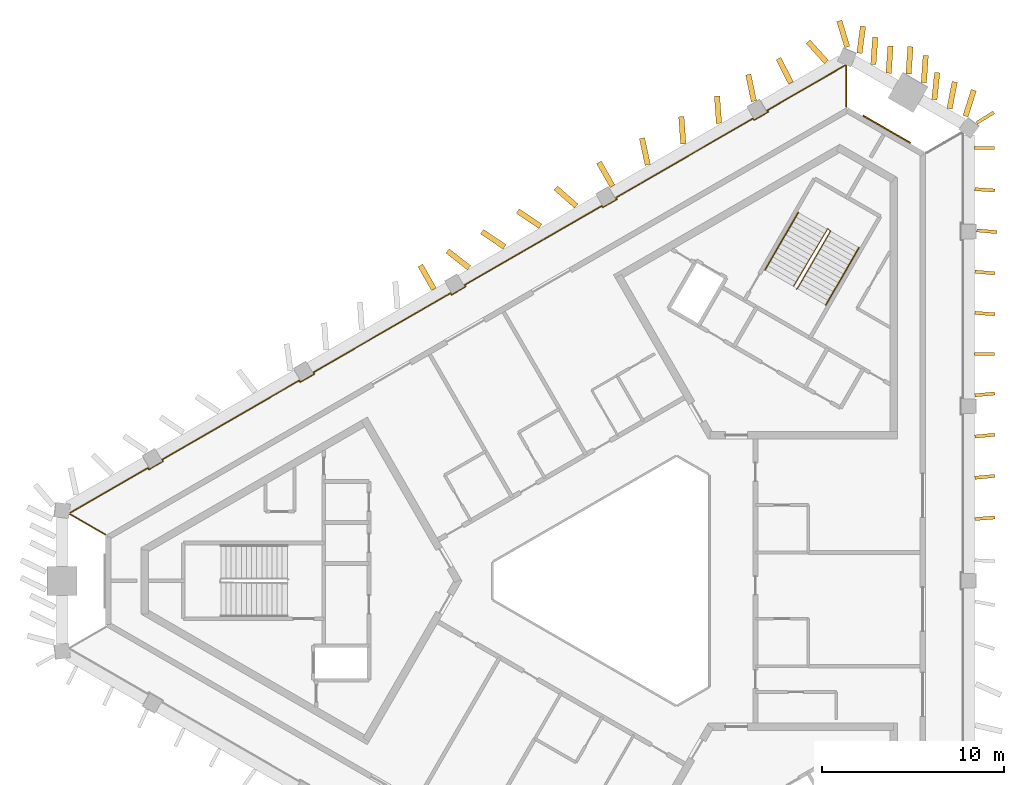
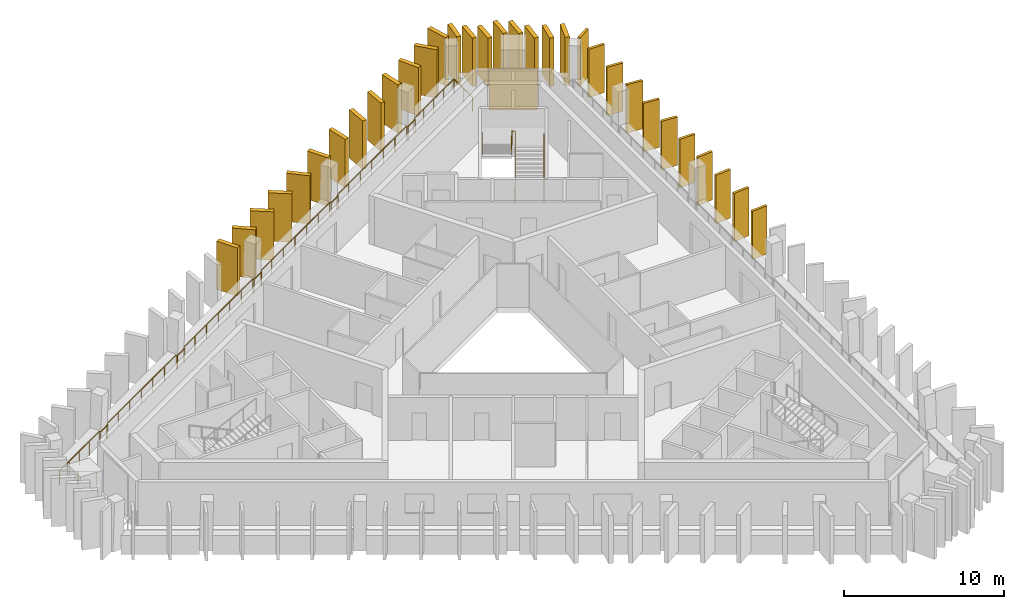
# One storey, part 9 of 9: 32 shading devices, 4 railings, 1 covering.
"""IFC4 building model written with IfcOpenShell, lengths in metres."""

from ifc_helpers import new_model, si_unit, direction, frame, frame_2d, origin, origin_2d, place, context, subcontext, project, spatial, rectangle, circle, extrude, material, layer, layer_set, type_object, element, save


model = new_model("IFC4")

# Units and contexts
model_context = context("Model", 3, precision=1e-05, world=origin(), true_north=direction((0.0, 1.0)))
body_context = subcontext(model_context, "Body", "Model", "MODEL_VIEW")
ifc_project = project(units=[si_unit("LENGTHUNIT", "METRE"), si_unit("AREAUNIT", "SQUARE_METRE"), si_unit("VOLUMEUNIT", "CUBIC_METRE"), si_unit("PLANEANGLEUNIT", "RADIAN"), si_unit("MASSUNIT", "GRAM", prefix="KILO")], contexts=[model_context])

# Site, building, storey
site_placement = place(None, origin())
site = spatial("IfcSite", under=ifc_project, at=site_placement, CompositionType="ELEMENT")
building_placement = place(site_placement, origin())
building = spatial("IfcBuilding", under=site, at=building_placement, Name="Jabali Bay Hotel Tower and Convention Centre", CompositionType="ELEMENT")
storey_placement = place(building_placement, frame((0.0, 0.0, 288.60009765625)))
storey = spatial("IfcBuildingStorey", under=building, at=storey_placement, Name="L71", CompositionType="ELEMENT", Elevation=288.60009765625)

# Railing
ifc_material_1 = material(Name="Glass", Category="glass")
railing_type_1 = type_object("IfcRailingType", Name="Loggia glass guard 1100", PredefinedType="BALUSTRADE", material=ifc_material_1)
railing_1_placement = place(storey_placement, frame((46.438720703125, 82.53857421875, 0.0)))
element("IfcRailing", 1, at=railing_1_placement, inside=storey, type_object=railing_type_1, Name="Loggia glass guard L71", PredefinedType="BALUSTRADE", context=body_context, shape_type="SweptSolid", body=[
    extrude(circle(Radius=0.02490234375, at=origin_2d()), frame((0.0, 0.0, 1.0751953125), z_axis=(-0.865989003036, 0.500063042646, 0.0), x_axis=(-0.495784933994, -0.858580347067, 0.13052619222)), (0.0, 0.0, 1.0), 2.275146484375),
    extrude(circle(Radius=0.02490234375, at=origin_2d()), frame((-1.97021484375, 1.1376953125, 1.0751953125), z_axis=(0.124843395554, 0.9921764594, 0.0), x_axis=(-0.983688252248, 0.123775342998, 0.13052619222)), (0.0, 0.0, 1.0), 0.037109375),
    extrude(circle(Radius=0.02490234375, at=origin_2d()), frame((-1.965576171875, 1.174560546875, 1.0751953125), z_axis=(0.866016938613, 0.500014661821, 0.0), x_axis=(-0.495736967074, 0.85860804365, 0.13052619222)), (0.0, 0.0, 1.0), 4.966064453125),
    extrude(circle(Radius=0.02490234375, at=origin_2d()), frame((2.335205078125, 3.65771484375, 1.0751953125), z_axis=(0.500074377092, -0.865982457891, 0.0), x_axis=(0.858573857916, 0.495796171473, 0.13052619222)), (0.0, 0.0, 1.0), 0.10009765625),
    extrude(circle(Radius=0.02490234375, at=origin_2d()), frame((2.38525390625, 3.571044921875, 1.0751953125), z_axis=(0.866013897511, 0.50001992892, 0.0), x_axis=(-0.495742189112, 0.858605028566, 0.13052619222)), (0.0, 0.0, 1.0), 0.89990234375),
    extrude(circle(Radius=0.02490234375, at=origin_2d()), frame((3.16455078125, 4.02099609375, 1.0751953125), z_axis=(-0.4982416694, 0.867038199201, 0.0), x_axis=(-0.859620567213, -0.493979142849, 0.13052619222)), (0.0, 0.0, 1.0), 0.099853515625),
    extrude(circle(Radius=0.02490234375, at=origin_2d()), frame((3.11474609375, 4.107666015625, 1.0751953125), z_axis=(0.86602121798, 0.500007249956, 0.0), x_axis=(-0.495729618619, 0.858612286407, 0.13052619222)), (0.0, 0.0, 1.0), 8.681884765625),
    extrude(circle(Radius=0.02490234375, at=origin_2d()), frame((10.633544921875, 8.44873046875, 1.0751953125), z_axis=(0.500074377092, -0.865982457891, 0.0), x_axis=(0.858573857916, 0.495796171473, 0.13052619222)), (0.0, 0.0, 1.0), 0.10009765625),
    extrude(circle(Radius=0.02490234375, at=origin_2d()), frame((10.68359375, 8.362060546875, 1.0751953125), z_axis=(0.865964261186, 0.500105887137, 0.0), x_axis=(-0.495827411944, 0.858555816886, 0.13052619222)), (0.0, 0.0, 1.0), 0.900146484375),
    extrude(circle(Radius=0.02490234375, at=origin_2d()), frame((11.463134765625, 8.812255859375, 1.0751953125), z_axis=(-0.501132629342, 0.865370491644, 0.0), x_axis=(-0.857967127125, -0.496845370228, 0.13052619222)), (0.0, 0.0, 1.0), 0.099853515625),
    extrude(circle(Radius=0.02490234375, at=origin_2d()), frame((11.4130859375, 8.898681640625, 1.0751953125), z_axis=(0.86602121798, 0.500007249956, 0.0), x_axis=(-0.495729618619, 0.858612286407, 0.13052619222)), (0.0, 0.0, 1.0), 8.681884765625),
    extrude(circle(Radius=0.02490234375, at=origin_2d()), frame((18.931884765625, 13.23974609375, 1.0751953125), z_axis=(0.501132629342, -0.865370491644, 0.0), x_axis=(0.857967127125, 0.496845370228, 0.13052619222)), (0.0, 0.0, 1.0), 0.099853515625),
    extrude(circle(Radius=0.02490234375, at=origin_2d()), frame((18.98193359375, 13.1533203125, 1.0751953125), z_axis=(0.866081705922, 0.499902469156, 0.0), x_axis=(-0.495625734232, 0.858672256866, 0.13052619222)), (0.0, 0.0, 1.0), 0.900146484375),
    extrude(circle(Radius=0.02490234375, at=origin_2d()), frame((19.761474609375, 13.603271484375, 1.0751953125), z_axis=(-0.500074377092, 0.865982457891, 0.0), x_axis=(-0.858573857916, -0.495796171473, 0.13052619222)), (0.0, 0.0, 1.0), 0.10009765625),
    extrude(circle(Radius=0.02490234375, at=origin_2d()), frame((19.71142578125, 13.68994140625, 1.0751953125), z_axis=(0.866028248005, 0.499995073634, 0.0), x_axis=(-0.495717546466, 0.858619256289, 0.13052619222)), (0.0, 0.0, 1.0), 8.68212890625),
    extrude(circle(Radius=0.02490234375, at=origin_2d()), frame((27.23046875, 18.031005859375, 1.0751953125), z_axis=(0.4982416694, -0.867038199201, 0.0), x_axis=(0.859620567213, 0.493979142849, 0.13052619222)), (0.0, 0.0, 1.0), 0.099853515625),
    extrude(circle(Radius=0.02490234375, at=origin_2d()), frame((27.2802734375, 17.9443359375, 1.0751953125), z_axis=(0.866081705922, 0.499902469156, 0.0), x_axis=(-0.495625734232, 0.858672256866, 0.13052619222)), (0.0, 0.0, 1.0), 0.900146484375),
    extrude(circle(Radius=0.02490234375, at=origin_2d()), frame((28.059814453125, 18.394287109375, 1.0751953125), z_axis=(-0.500074377092, 0.865982457891, 0.0), x_axis=(-0.858573857916, -0.495796171473, 0.13052619222)), (0.0, 0.0, 1.0), 0.10009765625),
    extrude(circle(Radius=0.02490234375, at=origin_2d()), frame((28.009765625, 18.48095703125, 1.0751953125), z_axis=(0.866028248005, 0.499995073634, 0.0), x_axis=(-0.495717546466, 0.858619256289, 0.13052619222)), (0.0, 0.0, 1.0), 8.68212890625),
    extrude(circle(Radius=0.02490234375, at=origin_2d()), frame((35.52880859375, 22.822021484375, 1.0751953125), z_axis=(0.500074377092, -0.865982457891, 0.0), x_axis=(0.858573857916, 0.495796171473, 0.13052619222)), (0.0, 0.0, 1.0), 0.10009765625),
    extrude(circle(Radius=0.02490234375, at=origin_2d()), frame((35.578857421875, 22.7353515625, 1.0751953125), z_axis=(0.866013897511, 0.50001992892, 0.0), x_axis=(-0.495742189112, 0.858605028566, 0.13052619222)), (0.0, 0.0, 1.0), 0.89990234375),
    extrude(circle(Radius=0.02490234375, at=origin_2d()), frame((36.358154296875, 23.185302734375, 1.0751953125), z_axis=(-0.500074377092, 0.865982457891, 0.0), x_axis=(-0.858573857916, -0.495796171473, 0.13052619222)), (0.0, 0.0, 1.0), 0.10009765625),
    extrude(circle(Radius=0.02490234375, at=origin_2d()), frame((36.30810546875, 23.27197265625, 1.0751953125), z_axis=(0.866029228753, 0.499993374902, 0.0), x_axis=(-0.495715862267, 0.858620228647, 0.13052619222)), (0.0, 0.0, 1.0), 4.96630859375),
    extrude(circle(Radius=0.02490234375, at=origin_2d()), frame((40.609130859375, 25.755126953125, 1.0751953125), z_axis=(0.919145030018, -0.393919298579, 0.0), x_axis=(0.390549264372, 0.911281616869, 0.13052619222)), (0.0, 0.0, 1.0), 0.037109375),
    extrude(circle(Radius=0.02490234375, at=origin_2d()), frame((40.643310546875, 25.740478515625, 1.0751953125), z_axis=(0.0, -1.0, 0.0), x_axis=(0.991444861374, 0.0, 0.13052619222)), (0.0, 0.0, 1.0), 2.27490234375),
    extrude(circle(Radius=0.02001953125, at=origin_2d()), origin(), (0.0, 0.0, 1.0), 1.050048828125),
    extrude(circle(Radius=0.02001953125, at=origin_2d()), frame((-0.985107421875, 0.56884765625, 0.0)), (0.0, 0.0, 1.0), 1.050048828125),
    extrude(circle(Radius=0.02001953125, at=origin_2d()), frame((-1.97021484375, 1.1376953125, 0.0)), (0.0, 0.0, 1.0), 1.050048828125),
    extrude(circle(Radius=0.02001953125, at=origin_2d()), frame((-1.965576171875, 1.174560546875, 0.0)), (0.0, 0.0, 1.0), 1.050048828125),
    extrude(circle(Radius=0.02001953125, at=origin_2d()), frame((-0.890380859375, 1.79541015625, 0.0)), (0.0, 0.0, 1.0), 1.050048828125),
    extrude(circle(Radius=0.02001953125, at=origin_2d()), frame((0.184814453125, 2.416015625, 0.0)), (0.0, 0.0, 1.0), 1.050048828125),
    extrude(circle(Radius=0.02001953125, at=origin_2d()), frame((1.260009765625, 3.036865234375, 0.0)), (0.0, 0.0, 1.0), 1.050048828125),
    extrude(circle(Radius=0.02001953125, at=origin_2d()), frame((2.335205078125, 3.65771484375, 0.0)), (0.0, 0.0, 1.0), 1.050048828125),
    extrude(circle(Radius=0.02001953125, at=origin_2d()), frame((2.38525390625, 3.571044921875, 0.0)), (0.0, 0.0, 1.0), 1.050048828125),
    extrude(circle(Radius=0.02001953125, at=origin_2d()), frame((3.16455078125, 4.02099609375, 0.0)), (0.0, 0.0, 1.0), 1.050048828125),
    extrude(circle(Radius=0.02001953125, at=origin_2d()), frame((3.11474609375, 4.107666015625, 0.0)), (0.0, 0.0, 1.0), 1.050048828125),
    extrude(circle(Radius=0.02001953125, at=origin_2d()), frame((4.367919921875, 4.8310546875, 0.0)), (0.0, 0.0, 1.0), 1.050048828125),
    extrude(circle(Radius=0.02001953125, at=origin_2d()), frame((5.62109375, 5.5546875, 0.0)), (0.0, 0.0, 1.0), 1.050048828125),
    extrude(circle(Radius=0.02001953125, at=origin_2d()), frame((6.8740234375, 6.2783203125, 0.0)), (0.0, 0.0, 1.0), 1.050048828125),
    extrude(circle(Radius=0.02001953125, at=origin_2d()), frame((8.127197265625, 7.001708984375, 0.0)), (0.0, 0.0, 1.0), 1.050048828125),
    extrude(circle(Radius=0.02001953125, at=origin_2d()), frame((9.38037109375, 7.72509765625, 0.0)), (0.0, 0.0, 1.0), 1.050048828125),
    extrude(circle(Radius=0.02001953125, at=origin_2d()), frame((10.633544921875, 8.44873046875, 0.0)), (0.0, 0.0, 1.0), 1.050048828125),
    extrude(circle(Radius=0.02001953125, at=origin_2d()), frame((10.68359375, 8.362060546875, 0.0)), (0.0, 0.0, 1.0), 1.050048828125),
    extrude(circle(Radius=0.02001953125, at=origin_2d()), frame((11.463134765625, 8.812255859375, 0.0)), (0.0, 0.0, 1.0), 1.050048828125),
    extrude(circle(Radius=0.02001953125, at=origin_2d()), frame((11.4130859375, 8.898681640625, 0.0)), (0.0, 0.0, 1.0), 1.050048828125),
    extrude(circle(Radius=0.02001953125, at=origin_2d()), frame((12.666259765625, 9.6220703125, 0.0)), (0.0, 0.0, 1.0), 1.050048828125),
    extrude(circle(Radius=0.02001953125, at=origin_2d()), frame((13.91943359375, 10.345703125, 0.0)), (0.0, 0.0, 1.0), 1.050048828125),
    extrude(circle(Radius=0.02001953125, at=origin_2d()), frame((15.17236328125, 11.0693359375, 0.0)), (0.0, 0.0, 1.0), 1.050048828125),
    extrude(circle(Radius=0.02001953125, at=origin_2d()), frame((16.425537109375, 11.792724609375, 0.0)), (0.0, 0.0, 1.0), 1.050048828125),
    extrude(circle(Radius=0.02001953125, at=origin_2d()), frame((17.6787109375, 12.51611328125, 0.0)), (0.0, 0.0, 1.0), 1.050048828125),
    extrude(circle(Radius=0.02001953125, at=origin_2d()), frame((18.931884765625, 13.23974609375, 0.0)), (0.0, 0.0, 1.0), 1.050048828125),
    extrude(circle(Radius=0.02001953125, at=origin_2d()), frame((18.98193359375, 13.1533203125, 0.0)), (0.0, 0.0, 1.0), 1.050048828125),
    extrude(circle(Radius=0.02001953125, at=origin_2d()), frame((19.761474609375, 13.603271484375, 0.0)), (0.0, 0.0, 1.0), 1.050048828125),
    extrude(circle(Radius=0.02001953125, at=origin_2d()), frame((19.71142578125, 13.68994140625, 0.0)), (0.0, 0.0, 1.0), 1.050048828125),
    extrude(circle(Radius=0.02001953125, at=origin_2d()), frame((20.964599609375, 14.41357421875, 0.0)), (0.0, 0.0, 1.0), 1.050048828125),
    extrude(circle(Radius=0.02001953125, at=origin_2d()), frame((22.2177734375, 15.136962890625, 0.0)), (0.0, 0.0, 1.0), 1.050048828125),
    extrude(circle(Radius=0.02001953125, at=origin_2d()), frame((23.470947265625, 15.8603515625, 0.0)), (0.0, 0.0, 1.0), 1.050048828125),
    extrude(circle(Radius=0.02001953125, at=origin_2d()), frame((24.72412109375, 16.583984375, 0.0)), (0.0, 0.0, 1.0), 1.050048828125),
    extrude(circle(Radius=0.02001953125, at=origin_2d()), frame((25.977294921875, 17.3076171875, 0.0)), (0.0, 0.0, 1.0), 1.050048828125),
    extrude(circle(Radius=0.02001953125, at=origin_2d()), frame((27.23046875, 18.031005859375, 0.0)), (0.0, 0.0, 1.0), 1.050048828125),
    extrude(circle(Radius=0.02001953125, at=origin_2d()), frame((27.2802734375, 17.9443359375, 0.0)), (0.0, 0.0, 1.0), 1.050048828125),
    extrude(circle(Radius=0.02001953125, at=origin_2d()), frame((28.059814453125, 18.394287109375, 0.0)), (0.0, 0.0, 1.0), 1.050048828125),
    extrude(circle(Radius=0.02001953125, at=origin_2d()), frame((28.009765625, 18.48095703125, 0.0)), (0.0, 0.0, 1.0), 1.050048828125),
    extrude(circle(Radius=0.02001953125, at=origin_2d()), frame((29.262939453125, 19.20458984375, 0.0)), (0.0, 0.0, 1.0), 1.050048828125),
    extrude(circle(Radius=0.02001953125, at=origin_2d()), frame((30.51611328125, 19.927978515625, 0.0)), (0.0, 0.0, 1.0), 1.050048828125),
    extrude(circle(Radius=0.02001953125, at=origin_2d()), frame((31.769287109375, 20.6513671875, 0.0)), (0.0, 0.0, 1.0), 1.050048828125),
    extrude(circle(Radius=0.02001953125, at=origin_2d()), frame((33.0224609375, 21.375, 0.0)), (0.0, 0.0, 1.0), 1.050048828125),
    extrude(circle(Radius=0.02001953125, at=origin_2d()), frame((34.275634765625, 22.0986328125, 0.0)), (0.0, 0.0, 1.0), 1.050048828125),
    extrude(circle(Radius=0.02001953125, at=origin_2d()), frame((35.52880859375, 22.822021484375, 0.0)), (0.0, 0.0, 1.0), 1.050048828125),
    extrude(circle(Radius=0.02001953125, at=origin_2d()), frame((35.578857421875, 22.7353515625, 0.0)), (0.0, 0.0, 1.0), 1.050048828125),
    extrude(circle(Radius=0.02001953125, at=origin_2d()), frame((36.358154296875, 23.185302734375, 0.0)), (0.0, 0.0, 1.0), 1.050048828125),
    extrude(circle(Radius=0.02001953125, at=origin_2d()), frame((36.30810546875, 23.27197265625, 0.0)), (0.0, 0.0, 1.0), 1.050048828125),
    extrude(circle(Radius=0.02001953125, at=origin_2d()), frame((37.38330078125, 23.892822265625, 0.0)), (0.0, 0.0, 1.0), 1.050048828125),
    extrude(circle(Radius=0.02001953125, at=origin_2d()), frame((38.45849609375, 24.513671875, 0.0)), (0.0, 0.0, 1.0), 1.050048828125),
    extrude(circle(Radius=0.02001953125, at=origin_2d()), frame((39.533935546875, 25.13427734375, 0.0)), (0.0, 0.0, 1.0), 1.050048828125),
    extrude(circle(Radius=0.02001953125, at=origin_2d()), frame((40.609130859375, 25.755126953125, 0.0)), (0.0, 0.0, 1.0), 1.050048828125),
    extrude(circle(Radius=0.02001953125, at=origin_2d()), frame((40.643310546875, 25.740478515625, 0.0)), (0.0, 0.0, 1.0), 1.050048828125),
    extrude(circle(Radius=0.02001953125, at=origin_2d()), frame((40.643310546875, 24.60302734375, 0.0)), (0.0, 0.0, 1.0), 1.050048828125),
    extrude(circle(Radius=0.02001953125, at=origin_2d()), frame((40.643310546875, 23.465576171875, 0.0)), (0.0, 0.0, 1.0), 1.050048828125),
])

# Shading devices
ifc_material_2 = material(Name="Precast concrete C60", Category="concrete")
ifc_layer_1 = layer(ifc_material_2, 0.179931640625)
ifc_layer_set_1 = layer_set([ifc_layer_1], Name="Precast concrete C60")
shading_device_type_1 = type_object("IfcShadingDeviceType", Name="Precast fin 3680 x 1100", PredefinedType="USERDEFINED", material=ifc_layer_set_1)
for number, where, z_axis, x_axis, name in (
    (2, (94.128662109375, 83.392822265625, 0.010009765625), (0.0, 0.0, 1.0), (0.996926493669, 0.078342620718, 0.0), "Fin L71 012"),
    (3, (94.1298828125, 85.654541015625, 0.010009765625), (0.0, 0.0, 1.0), (0.995604527084, 0.093656957296, 0.0), "Fin L71 013"),
):
    element("IfcShadingDevice", number, at=place(storey_placement, frame(where, z_axis=z_axis, x_axis=x_axis)), inside=storey, type_object=shading_device_type_1, Name=name, ObjectType="FIN", PredefinedType="USERDEFINED", context=body_context, shape_type="SweptSolid", body=[
        extrude(rectangle(XDim=1.10009765625, YDim=0.179931640625, at=frame_2d((0.550048828125, 0.0))), origin(), (0.0, 0.0, 1.0), 3.679931640625),
    ])
for number, where, z_axis, x_axis, name in (
    (4, (94.1298828125, 87.916259765625, 0.010009765625), (0.0, 0.0, 1.0), (0.995768554194, 0.091896607543, 0.0), "Fin L71 014"),
    (5, (94.1298828125, 90.17822265625, 0.010009765625), (0.0, 0.0, 1.0), (0.995829275572, 0.09123625329, 0.0), "Fin L71 015"),
    (6, (94.122314453125, 92.43994140625, 0.010009765625), (0.0, 0.0, 1.0), (0.999974773097, 0.007103039454, 0.0), "Fin L71 016"),
    (7, (94.128173828125, 94.701904296875, 0.010009765625), (0.0, 0.0, 1.0), (0.997281062089, -0.073691812289, 0.0), "Fin L71 017"),
):
    element("IfcShadingDevice", number, at=place(storey_placement, frame(where, z_axis=z_axis, x_axis=x_axis)), inside=storey, type_object=shading_device_type_1, Name=name, ObjectType="FIN", PredefinedType="USERDEFINED", context=body_context, shape_type="SweptSolid", body=[
        extrude(rectangle(XDim=1.099853515625, YDim=0.179931640625, at=frame_2d((0.5498046875, 0.0))), origin(), (0.0, 0.0, 1.0), 3.679931640625),
    ])
for number, where, z_axis, x_axis, name in (
    (8, (94.129638671875, 96.963623046875, 0.010009765625), (0.0, 0.0, 1.0), (0.995831122783, -0.091216089027, 0.0), "Fin L71 018"),
    (9, (94.2373046875, 99.225341796875, 0.010009765625), (0.0, 0.0, 1.0), (0.995810939046, -0.091436172696, 0.0), "Fin L71 019"),
):
    element("IfcShadingDevice", number, at=place(storey_placement, frame(where, z_axis=z_axis, x_axis=x_axis)), inside=storey, type_object=shading_device_type_1, Name=name, ObjectType="FIN", PredefinedType="USERDEFINED", context=body_context, shape_type="SweptSolid", body=[
        extrude(rectangle(XDim=1.10009765625, YDim=0.179931640625, at=frame_2d((0.550048828125, 0.0))), origin(), (0.0, 0.0, 1.0), 3.679931640625),
    ])
for number, where, z_axis, x_axis, name in (
    (10, (94.1279296875, 101.4873046875, 0.010009765625), (0.0, 0.0, 1.0), (0.997505802065, -0.07058452271, 0.0), "Fin L71 020"),
    (11, (94.121826171875, 103.7490234375, 0.010009765625), (0.0, 0.0, 1.0), (0.999997018987, -0.002441724131, 0.0), "Fin L71 021"),
):
    element("IfcShadingDevice", number, at=place(storey_placement, frame(where, z_axis=z_axis, x_axis=x_axis)), inside=storey, type_object=shading_device_type_1, Name=name, ObjectType="FIN", PredefinedType="USERDEFINED", context=body_context, shape_type="SweptSolid", body=[
        extrude(rectangle(XDim=1.099853515625, YDim=0.179931640625, at=frame_2d((0.5498046875, 0.0))), origin(), (0.0, 0.0, 1.0), 3.679931640625),
    ])
shading_device_1_placement = place(storey_placement, frame((94.235107421875, 105.1142578125, 0.010009765625), z_axis=(0.0, 0.0, 1.0), x_axis=(0.848434393729, 0.529300556904, 0.0)))
element("IfcShadingDevice", 12, at=shading_device_1_placement, inside=storey, type_object=shading_device_type_1, Name="Fin L71 091", ObjectType="FIN", PredefinedType="USERDEFINED", context=body_context, shape_type="SweptSolid", body=[
    extrude(rectangle(XDim=1.10009765625, YDim=0.179931640625, at=frame_2d((0.550048828125, 0.0))), origin(), (0.0, 0.0, 1.0), 3.679931640625),
])
ifc_layer_2 = layer(ifc_material_2, 0.300048828125)
ifc_layer_set_2 = layer_set([ifc_layer_2], Name="Precast concrete C60")
shading_device_type_2 = type_object("IfcShadingDeviceType", Name="Precast fin 3680 x 1500", PredefinedType="USERDEFINED", material=ifc_layer_set_2)
shading_device_2_placement = place(storey_placement, frame((93.61865234375, 105.48193359375, 0.010009765625), z_axis=(0.0, 0.0, 1.0), x_axis=(0.301396168993, 0.953499003312, 0.0)))
element("IfcShadingDevice", 13, at=shading_device_2_placement, inside=storey, type_object=shading_device_type_2, Name="Fin L71 022", ObjectType="FIN", PredefinedType="USERDEFINED", context=body_context, shape_type="SweptSolid", body=[
    extrude(rectangle(XDim=1.500244140625, YDim=0.300048828125, at=frame_2d((0.75, 0.0))), origin(), (0.0, 0.0, 1.0), 3.679931640625),
])
for number, where, z_axis, x_axis, name in (
    (14, (92.7412109375, 105.8955078125, 0.010009765625), (0.0, 0.0, 1.0), (0.190917579316, 0.981606070635, 0.0), "Fin L71 023"),
    (15, (91.910400390625, 106.3896484375, 0.010009765625), (0.0, 0.0, 1.0), (0.103193465297, 0.99466130352, 0.0), "Fin L71 024"),
    (16, (91.331787109375, 107.32080078125, 0.010009765625), (0.0, 0.0, 1.0), (0.070472092405, 0.99751375138, 0.0), "Fin L71 025"),
):
    element("IfcShadingDevice", number, at=place(storey_placement, frame(where, z_axis=z_axis, x_axis=x_axis)), inside=storey, type_object=shading_device_type_2, Name=name, ObjectType="FIN", PredefinedType="USERDEFINED", context=body_context, shape_type="SweptSolid", body=[
        extrude(rectangle(XDim=1.5, YDim=0.300048828125, at=frame_2d((0.75, 0.0))), origin(), (0.0, 0.0, 1.0), 3.679931640625),
    ])
for number, where, z_axis, x_axis, name in (
    (17, (90.49462890625, 107.80419921875, 0.010009765625), (0.0, 0.0, 1.0), (0.070483535293, 0.9975129429, 0.0), "Fin L71 026"),
    (18, (89.401123046875, 107.843505859375, 0.010009765625), (0.0, 0.0, 1.0), (0.070483535293, 0.9975129429, 0.0), "Fin L71 027"),
):
    element("IfcShadingDevice", number, at=place(storey_placement, frame(where, z_axis=z_axis, x_axis=x_axis)), inside=storey, type_object=shading_device_type_2, Name=name, ObjectType="FIN", PredefinedType="USERDEFINED", context=body_context, shape_type="SweptSolid", body=[
        extrude(rectangle(XDim=1.499755859375, YDim=0.300048828125, at=frame_2d((0.75, 0.0))), origin(), (0.0, 0.0, 1.0), 3.679931640625),
    ])
for number, where, z_axis, x_axis, name in (
    (19, (88.56396484375, 108.32666015625, 0.010009765625), (0.0, 0.0, 1.0), (0.070634034433, 0.997502297331, 0.0), "Fin L71 028"),
    (20, (87.80224609375, 108.940673828125, 0.010009765625), (0.0, 0.0, 1.0), (0.131182843768, 0.991358190313, 0.0), "Fin L71 029"),
    (21, (85.99072265625, 108.461669921875, 0.010009765625), (0.0, 0.0, 1.0), (-0.671505462175, 0.74099960477, 0.0), "Fin L71 030"),
    (22, (84.0439453125, 107.31005859375, 0.010009765625), (0.0, 0.0, 1.0), (-0.454944711953, 0.890519684828, 0.0), "Fin L71 031"),
):
    element("IfcShadingDevice", number, at=place(storey_placement, frame(where, z_axis=z_axis, x_axis=x_axis)), inside=storey, type_object=shading_device_type_2, Name=name, ObjectType="FIN", PredefinedType="USERDEFINED", context=body_context, shape_type="SweptSolid", body=[
        extrude(rectangle(XDim=1.5, YDim=0.300048828125, at=frame_2d((0.75, 0.0))), origin(), (0.0, 0.0, 1.0), 3.679931640625),
    ])
for number, where, z_axis, x_axis, name in (
    (23, (82.01171875, 106.30615234375, 0.010009765625), (0.0, 0.0, 1.0), (-0.204779738154, 0.978808080699, 0.0), "Fin L71 032"),
    (24, (80.097412109375, 105.098388671875, 0.010009765625), (0.0, 0.0, 1.0), (-0.070969422699, 0.997478491518, 0.0), "Fin L71 033"),
    (25, (78.138427734375, 103.967529296875, 0.010009765625), (0.0, 0.0, 1.0), (-0.070483535293, 0.9975129429, 0.0), "Fin L71 034"),
):
    element("IfcShadingDevice", number, at=place(storey_placement, frame(where, z_axis=z_axis, x_axis=x_axis)), inside=storey, type_object=shading_device_type_2, Name=name, ObjectType="FIN", PredefinedType="USERDEFINED", context=body_context, shape_type="SweptSolid", body=[
        extrude(rectangle(XDim=1.499755859375, YDim=0.300048828125, at=frame_2d((0.75, 0.0))), origin(), (0.0, 0.0, 1.0), 3.679931640625),
    ])
for number, where, z_axis, x_axis, name in (
    (26, (76.189453125, 102.819580078125, 0.010009765625), (0.0, 0.0, 1.0), (-0.210273710971, 0.977642555577, 0.0), "Fin L71 035"),
    (27, (74.253173828125, 101.64990234375, 0.010009765625), (0.0, 0.0, 1.0), (-0.4925237916, 0.870298980068, 0.0), "Fin L71 036"),
    (28, (72.27099609375, 100.559326171875, 0.010009765625), (0.0, 0.0, 1.0), (-0.750445480796, 0.660932356867, 0.0), "Fin L71 037"),
    (29, (70.303466796875, 99.44384765625, 0.010009765625), (0.0, 0.0, 1.0), (-0.828578765843, 0.559872511196, 0.0), "Fin L71 038"),
):
    element("IfcShadingDevice", number, at=place(storey_placement, frame(where, z_axis=z_axis, x_axis=x_axis)), inside=storey, type_object=shading_device_type_2, Name=name, ObjectType="FIN", PredefinedType="USERDEFINED", context=body_context, shape_type="SweptSolid", body=[
        extrude(rectangle(XDim=1.5, YDim=0.300048828125, at=frame_2d((0.75, 0.0))), origin(), (0.0, 0.0, 1.0), 3.679931640625),
    ])
shading_device_3_placement = place(storey_placement, frame((68.344482421875, 98.31298828125, 0.010009765625), z_axis=(0.0, 0.0, 1.0), x_axis=(-0.828527739218, 0.559948020218, 0.0)))
element("IfcShadingDevice", 30, at=shading_device_3_placement, inside=storey, type_object=shading_device_type_2, Name="Fin L71 039", ObjectType="FIN", PredefinedType="USERDEFINED", context=body_context, shape_type="SweptSolid", body=[
    extrude(rectangle(XDim=1.499755859375, YDim=0.300048828125, at=frame_2d((0.75, 0.0))), origin(), (0.0, 0.0, 1.0), 3.679931640625),
])
for number, where, z_axis, x_axis, name in (
    (31, (66.390380859375, 97.174072265625, 0.010009765625), (0.0, 0.0, 1.0), (-0.789229504639, 0.614098354507, 0.0), "Fin L71 040"),
    (32, (64.459228515625, 95.995361328125, 0.010009765625), (0.0, 0.0, 1.0), (-0.492647057518, 0.8702292093, 0.0), "Fin L71 041"),
    (33, (87.132080078125, 109.28466796875, 0.010009765625), (0.0, 0.0, 1.0), (-0.290870136811, 0.956762542908, 0.0), "Fin L71 092"),
):
    element("IfcShadingDevice", number, at=place(storey_placement, frame(where, z_axis=z_axis, x_axis=x_axis)), inside=storey, type_object=shading_device_type_2, Name=name, ObjectType="FIN", PredefinedType="USERDEFINED", context=body_context, shape_type="SweptSolid", body=[
        extrude(rectangle(XDim=1.5, YDim=0.300048828125, at=frame_2d((0.75, 0.0))), origin(), (0.0, 0.0, 1.0), 3.679931640625),
    ])

# Covering
ifc_material_3 = material(Name="Precast concrete C40/50", Category="concrete")
ifc_layer_3 = layer(ifc_material_3, 0.080078125)
ifc_layer_set_3 = layer_set([ifc_layer_3], Name="Precast concrete C40/50")
covering_type = type_object("IfcCoveringType", Name="Relief panel 3000 x 3100", PredefinedType="CLADDING", material=ifc_layer_set_3)
covering_placement = place(storey_placement, frame((89.300537109375, 104.769287109375, 0.099853515625), z_axis=(0.0, 0.0, 1.0), x_axis=(0.866025357411, -0.500000080321, 0.0)))
element("IfcCovering", 34, at=covering_placement, inside=storey, type_object=covering_type, Name="Relief panel L71", PredefinedType="CLADDING", context=body_context, shape_type="SweptSolid", body=[
    extrude(rectangle(XDim=3.0, YDim=0.080078125, at=origin_2d()), origin(), (0.0, 0.0, 1.0), 3.10009765625),
])

# Railings
ifc_material_4 = material(Name="Steel Q355B", Category="steel")
railing_type_2 = type_object("IfcRailingType", Name="Stair guard 1100", PredefinedType="GUARDRAIL", material=ifc_material_4)
railing_2_placement = place(storey_placement, frame((84.329833984375, 96.010009765625, 0.0)))
element("IfcRailing", 35, at=railing_2_placement, inside=storey, type_object=railing_type_2, Name="L71 ST2 stair guard 1", PredefinedType="GUARDRAIL", context=body_context, shape_type="SweptSolid", body=[
    extrude(circle(Radius=0.02392578125, at=origin_2d()), frame((0.0, 0.0, 1.076171875), z_axis=(0.456201556387, 0.122196845461, 0.881446578591), x_axis=(-0.258736085224, 0.965948051503, 0.0)), (0.0, 0.0, 1.0), 0.14990234375),
    extrude(circle(Radius=0.02392578125, at=origin_2d()), frame((0.068359375, 0.018310546875, 1.2080078125), z_axis=(0.452190331055, 0.783190014029, 0.426775475427), x_axis=(-0.866018046521, 0.500012742938, 0.0)), (0.0, 0.0, 1.0), 4.02490234375),
    extrude(circle(Radius=0.02392578125, at=origin_2d()), frame((1.888427734375, 3.170654296875, 2.92578125), z_axis=(-0.718850276695, 0.695164929852, 0.0), x_axis=(-0.695164929852, -0.718850276695, 0.0)), (0.0, 0.0, 1.0), 0.2060546875),
    extrude(circle(Radius=0.02392578125, at=origin_2d()), frame((1.740234375, 3.31396484375, 2.92578125), z_axis=(-0.457445338502, -0.768046879266, 0.448160410493), x_axis=(0.859157857954, -0.511710636118, 0.0)), (0.0, 0.0, 1.0), 4.128173828125),
    extrude(circle(Radius=0.02099609375, at=origin_2d()), origin(), (0.0, 0.0, 1.0), 1.052001953125),
    extrude(circle(Radius=0.02099609375, at=origin_2d()), frame((0.068359375, 0.018310546875, 0.132080078125)), (0.0, 0.0, 1.0), 1.052001953125),
    extrude(circle(Radius=0.02099609375, at=origin_2d()), frame((0.5234375, 0.806396484375, 0.5615234375)), (0.0, 0.0, 1.0), 1.052001953125),
    extrude(circle(Radius=0.02099609375, at=origin_2d()), frame((0.978515625, 1.594482421875, 0.990966796875)), (0.0, 0.0, 1.0), 1.052001953125),
    extrude(circle(Radius=0.02099609375, at=origin_2d()), frame((1.433349609375, 2.382568359375, 1.42041015625)), (0.0, 0.0, 1.0), 1.052001953125),
    extrude(circle(Radius=0.02099609375, at=origin_2d()), frame((1.888427734375, 3.170654296875, 1.849853515625)), (0.0, 0.0, 1.0), 1.052001953125),
    extrude(circle(Radius=0.02099609375, at=origin_2d()), frame((1.740234375, 3.31396484375, 1.849853515625)), (0.0, 0.0, 1.0), 1.052001953125),
    extrude(circle(Radius=0.02099609375, at=origin_2d()), frame((1.26806640625, 2.521240234375, 2.3125)), (0.0, 0.0, 1.0), 1.052001953125),
    extrude(circle(Radius=0.02099609375, at=origin_2d()), frame((0.7958984375, 1.728515625, 2.77490234375)), (0.0, 0.0, 1.0), 1.052001953125),
    extrude(circle(Radius=0.02099609375, at=origin_2d()), frame((0.323974609375, 0.93603515625, 3.2373046875)), (0.0, 0.0, 1.0), 1.052001953125),
    extrude(circle(Radius=0.02099609375, at=origin_2d()), frame((-0.148193359375, 0.143310546875, 3.699951171875)), (0.0, 0.0, 1.0), 1.052001953125),
])
railing_type_3 = type_object("IfcRailingType", Name="Stair handrail 900", PredefinedType="HANDRAIL", material=ifc_material_4)
railing_3_placement = place(storey_placement, frame((85.95703125, 95.128173828125, 0.132080078125)))
element("IfcRailing", 36, at=railing_3_placement, inside=storey, type_object=railing_type_3, Name="L71 ST2 stair handrail 1", PredefinedType="HANDRAIL", context=body_context, shape_type="SweptSolid", body=[
    extrude(circle(Radius=0.02392578125, at=origin_2d()), frame((0.0, 0.0, 0.8759765625), z_axis=(0.452190331055, 0.783190014029, 0.426775475427), x_axis=(-0.866018046521, 0.500012742938, 0.0)), (0.0, 0.0, 1.0), 4.02490234375),
    extrude(circle(Radius=0.02099609375, at=origin_2d()), origin(), (0.0, 0.0, 1.0), 0.851806640625),
    extrude(circle(Radius=0.02099609375, at=origin_2d()), frame((0.455078125, 0.7880859375, 0.429443359375)), (0.0, 0.0, 1.0), 0.851806640625),
    extrude(circle(Radius=0.02099609375, at=origin_2d()), frame((0.91015625, 1.576171875, 0.85888671875)), (0.0, 0.0, 1.0), 0.851806640625),
    extrude(circle(Radius=0.02099609375, at=origin_2d()), frame((1.364990234375, 2.3642578125, 1.288330078125)), (0.0, 0.0, 1.0), 0.851806640625),
    extrude(circle(Radius=0.02099609375, at=origin_2d()), frame((1.820068359375, 3.15234375, 1.7177734375)), (0.0, 0.0, 1.0), 0.851806640625),
])
railing_4_placement = place(storey_placement, frame((84.44287109375, 100.20556640625, 1.98193359375)))
element("IfcRailing", 37, at=railing_4_placement, inside=storey, type_object=railing_type_3, Name="L71 ST2 stair handrail 2", PredefinedType="HANDRAIL", context=body_context, shape_type="SweptSolid", body=[
    extrude(circle(Radius=0.02392578125, at=origin_2d()), frame((0.0, 0.0, 0.8759765625), z_axis=(-0.45217862506, -0.783169739339, 0.426825081763), x_axis=(0.866018046521, -0.500012742938, 0.0)), (0.0, 0.0, 1.0), 4.025146484375),
    extrude(circle(Radius=0.02099609375, at=origin_2d()), origin(), (0.0, 0.0, 1.0), 0.851806640625),
    extrude(circle(Radius=0.02099609375, at=origin_2d()), frame((-0.455078125, -0.7880859375, 0.429443359375)), (0.0, 0.0, 1.0), 0.851806640625),
    extrude(circle(Radius=0.02099609375, at=origin_2d()), frame((-0.91015625, -1.576171875, 0.85888671875)), (0.0, 0.0, 1.0), 0.851806640625),
    extrude(circle(Radius=0.02099609375, at=origin_2d()), frame((-1.364990234375, -2.3642578125, 1.28857421875)), (0.0, 0.0, 1.0), 0.851806640625),
    extrude(circle(Radius=0.02099609375, at=origin_2d()), frame((-1.820068359375, -3.15234375, 1.718017578125)), (0.0, 0.0, 1.0), 0.851806640625),
])

save(model, "model.ifc")
